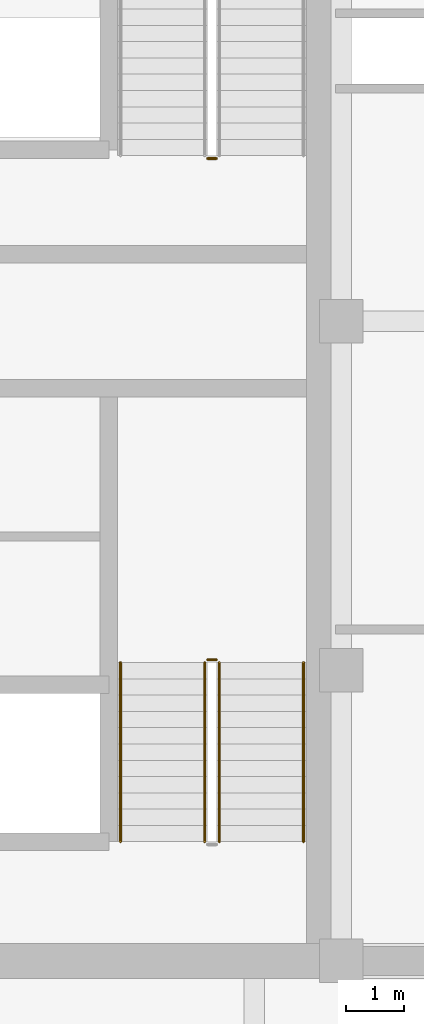
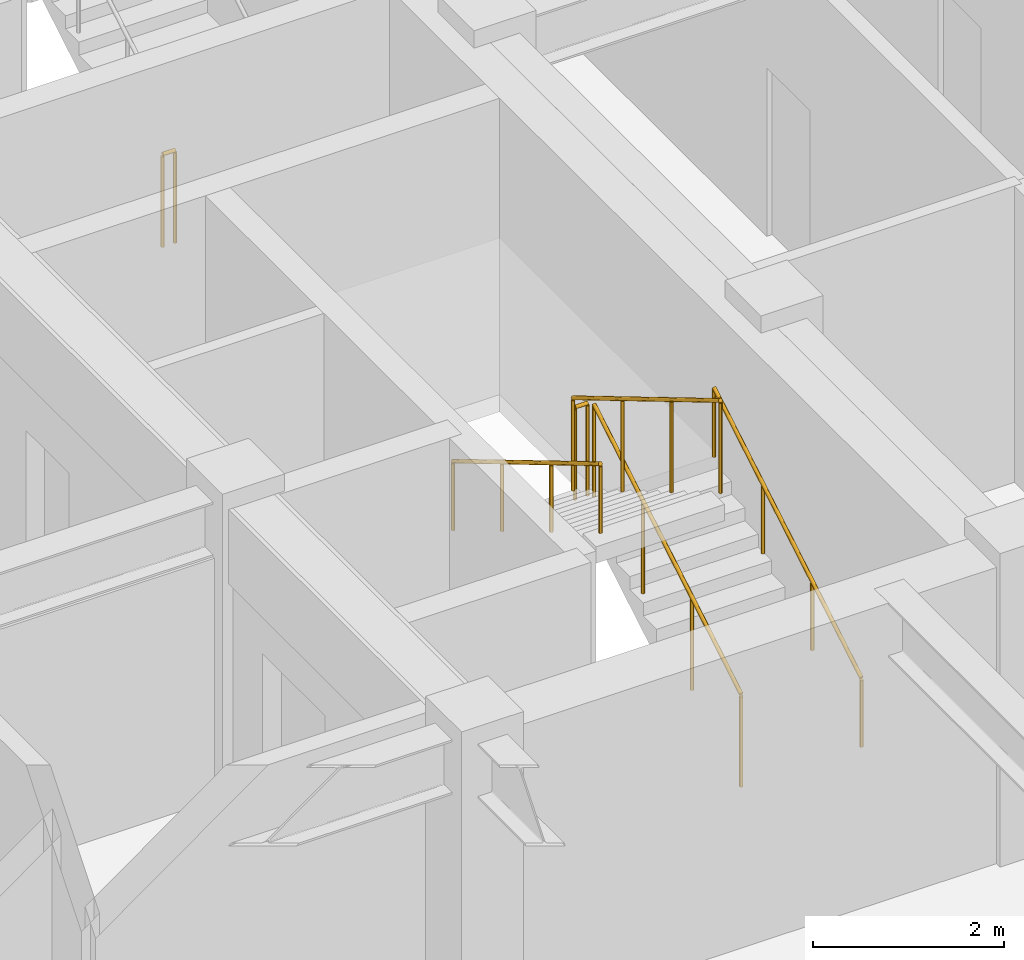
# One storey, part 24 of 27: 6 railings.
"""IFC4 building model written with IfcOpenShell, lengths in metres."""

from ifc_helpers import new_model, si_unit, direction, frame, origin, origin_2d, place, context, subcontext, project, spatial, circle, extrude, source, transform, mapped, material, type_object, element, save


model = new_model("IFC4")

# Units and contexts
model_context = context("Model", 3, precision=1e-05, world=origin(), true_north=direction((0.0, 1.0)))
body_context = subcontext(model_context, "Body", "Model", "MODEL_VIEW")
ifc_project = project(units=[si_unit("LENGTHUNIT", "METRE"), si_unit("AREAUNIT", "SQUARE_METRE"), si_unit("VOLUMEUNIT", "CUBIC_METRE"), si_unit("PLANEANGLEUNIT", "RADIAN"), si_unit("MASSUNIT", "GRAM", prefix="KILO")], contexts=[model_context])

# Site, building, storey
site_placement = place(None, origin())
site = spatial("IfcSite", under=ifc_project, at=site_placement, CompositionType="ELEMENT")
building_placement = place(site_placement, origin())
building = spatial("IfcBuilding", under=site, at=building_placement, Name="Khorayat Bourse Tower", CompositionType="ELEMENT")
storey_placement = place(building_placement, frame((0.0, 0.0, 313.5)))
storey = spatial("IfcBuildingStorey", under=building, at=storey_placement, Name="L74", CompositionType="ELEMENT", Elevation=313.5)

# Railings
ifc_material_1 = material(Name="Powder-coated steel balustrade", Category="steel")
railing_type_1 = type_object("IfcRailingType", Name="RLG-GUARD-1200", PredefinedType="GUARDRAIL", material=ifc_material_1)
shared_shape_1 = source(origin(), body_context, "Body", "SweptSolid", [
    extrude(circle(Radius=0.02392578125, at=origin_2d()), frame((0.0, 0.0, 1.17578125), z_axis=(-1.0, 0.0, 0.0), x_axis=(0.0, -1.0, 0.0)), (0.0, 0.0, 1.0), 0.150146484375),
    extrude(circle(Radius=0.02099609375, at=origin_2d()), origin(), (0.0, 0.0, 1.0), 1.15185546875),
    extrude(circle(Radius=0.02099609375, at=origin_2d()), frame((-0.150146484375, 0.0, 0.0)), (0.0, 0.0, 1.0), 1.15185546875),
])
for number, where, name in (
    (1, (-6.64990234375, -5.820068359375, 2.0), "L74 ST-1 stair guard 2"),
    (2, (-6.64990234375, 2.800048828125, 0.0), "L74 ST-2 stair guard 4"),
):
    element("IfcRailing", number, at=place(storey_placement, frame(where)), inside=storey, type_object=railing_type_1, Name=name, PredefinedType="GUARDRAIL", context=body_context, shape_type="MappedRepresentation", body=[
        mapped(shared_shape_1, transform((0.0, 0.0, 0.0), scale=1.0)),
    ])
shared_shape_2 = source(origin(), body_context, "Body", "SweptSolid", [
    extrude(circle(Radius=0.02392578125, at=origin_2d()), frame((0.0, 0.0, 1.17578125), z_axis=(0.0, 0.859290745958, 0.51148745235), x_axis=(-1.0, 0.0, 0.0)), (0.0, 0.0, 1.0), 3.584228515625),
    extrude(circle(Radius=0.02099609375, at=origin_2d()), origin(), (0.0, 0.0, 1.0), 1.15185546875),
    extrude(circle(Radius=0.02099609375, at=origin_2d()), frame((0.0, 1.026611328125, 0.611083984375)), (0.0, 0.0, 1.0), 1.15185546875),
    extrude(circle(Radius=0.02099609375, at=origin_2d()), frame((0.0, 2.05322265625, 1.22216796875)), (0.0, 0.0, 1.0), 1.15185546875),
    extrude(circle(Radius=0.02099609375, at=origin_2d()), frame((0.0, 3.079833984375, 1.833251953125)), (0.0, 0.0, 1.0), 1.15185546875),
])
railing_1_placement = place(storey_placement, frame((-6.60009765625, -8.949951171875, 0.166748046875)))
element("IfcRailing", 3, at=railing_1_placement, inside=storey, type_object=railing_type_1, Name="L74 ST-1 stair guard 1", PredefinedType="GUARDRAIL", context=body_context, shape_type="MappedRepresentation", body=[
    mapped(shared_shape_2, transform((0.0, 0.0, 0.0), scale=1.0)),
])
shared_shape_3 = source(origin(), body_context, "Body", "SweptSolid", [
    extrude(circle(Radius=0.02392578125, at=origin_2d()), frame((0.0, 0.0, 1.17578125), z_axis=(0.0, -0.859290745958, 0.51148745235), x_axis=(1.0, 0.0, 0.0)), (0.0, 0.0, 1.0), 3.584228515625),
    extrude(circle(Radius=0.02099609375, at=origin_2d()), origin(), (0.0, 0.0, 1.0), 1.15185546875),
    extrude(circle(Radius=0.02099609375, at=origin_2d()), frame((0.0, -1.026611328125, 0.611083984375)), (0.0, 0.0, 1.0), 1.15185546875),
    extrude(circle(Radius=0.02099609375, at=origin_2d()), frame((0.0, -2.05322265625, 1.22216796875)), (0.0, 0.0, 1.0), 1.15185546875),
    extrude(circle(Radius=0.02099609375, at=origin_2d()), frame((0.0, -3.079833984375, 1.833251953125)), (0.0, 0.0, 1.0), 1.15185546875),
])
railing_2_placement = place(storey_placement, frame((-6.85009765625, -5.8701171875, 2.166748046875)))
element("IfcRailing", 4, at=railing_2_placement, inside=storey, type_object=railing_type_1, Name="L74 ST-1 stair guard 3", PredefinedType="GUARDRAIL", context=body_context, shape_type="MappedRepresentation", body=[
    mapped(shared_shape_3, transform((0.0, 0.0, 0.0), scale=1.0)),
])
ifc_material_2 = material(Name="Brushed bronze stainless-steel handrail", Category="steel")
railing_type_2 = type_object("IfcRailingType", Name="RLG-HAND-900", PredefinedType="HANDRAIL", material=ifc_material_2)
shared_shape_4 = source(origin(), body_context, "Body", "SweptSolid", [
    extrude(circle(Radius=0.02392578125, at=origin_2d()), frame((0.0, 0.0, 0.8759765625), z_axis=(0.0, 0.859290745958, 0.51148745235), x_axis=(-1.0, 0.0, 0.0)), (0.0, 0.0, 1.0), 3.584228515625),
    extrude(circle(Radius=0.02099609375, at=origin_2d()), origin(), (0.0, 0.0, 1.0), 0.851806640625),
    extrude(circle(Radius=0.02099609375, at=origin_2d()), frame((0.0, 1.026611328125, 0.611083984375)), (0.0, 0.0, 1.0), 0.851806640625),
    extrude(circle(Radius=0.02099609375, at=origin_2d()), frame((0.0, 2.05322265625, 1.22216796875)), (0.0, 0.0, 1.0), 0.851806640625),
    extrude(circle(Radius=0.02099609375, at=origin_2d()), frame((0.0, 3.079833984375, 1.833251953125)), (0.0, 0.0, 1.0), 0.851806640625),
])
railing_3_placement = place(storey_placement, frame((-5.14990234375, -8.949951171875, 0.166748046875)))
element("IfcRailing", 5, at=railing_3_placement, inside=storey, type_object=railing_type_2, Name="L74 ST-1 stair handrail 1", PredefinedType="HANDRAIL", context=body_context, shape_type="MappedRepresentation", body=[
    mapped(shared_shape_4, transform((0.0, 0.0, 0.0), scale=1.0)),
])
shared_shape_5 = source(origin(), body_context, "Body", "SweptSolid", [
    extrude(circle(Radius=0.02392578125, at=origin_2d()), frame((0.0, 0.0, 0.8759765625), z_axis=(0.0, -0.859290745958, 0.51148745235), x_axis=(1.0, 0.0, 0.0)), (0.0, 0.0, 1.0), 3.584228515625),
    extrude(circle(Radius=0.02099609375, at=origin_2d()), origin(), (0.0, 0.0, 1.0), 0.851806640625),
    extrude(circle(Radius=0.02099609375, at=origin_2d()), frame((0.0, -1.026611328125, 0.611083984375)), (0.0, 0.0, 1.0), 0.851806640625),
    extrude(circle(Radius=0.02099609375, at=origin_2d()), frame((0.0, -2.05322265625, 1.22216796875)), (0.0, 0.0, 1.0), 0.851806640625),
    extrude(circle(Radius=0.02099609375, at=origin_2d()), frame((0.0, -3.079833984375, 1.833251953125)), (0.0, 0.0, 1.0), 0.851806640625),
])
railing_4_placement = place(storey_placement, frame((-8.300048828125, -5.8701171875, 2.166748046875)))
element("IfcRailing", 6, at=railing_4_placement, inside=storey, type_object=railing_type_2, Name="L74 ST-1 stair handrail 2", PredefinedType="HANDRAIL", context=body_context, shape_type="MappedRepresentation", body=[
    mapped(shared_shape_5, transform((0.0, 0.0, 0.0), scale=1.0)),
])

save(model, "model.ifc")
